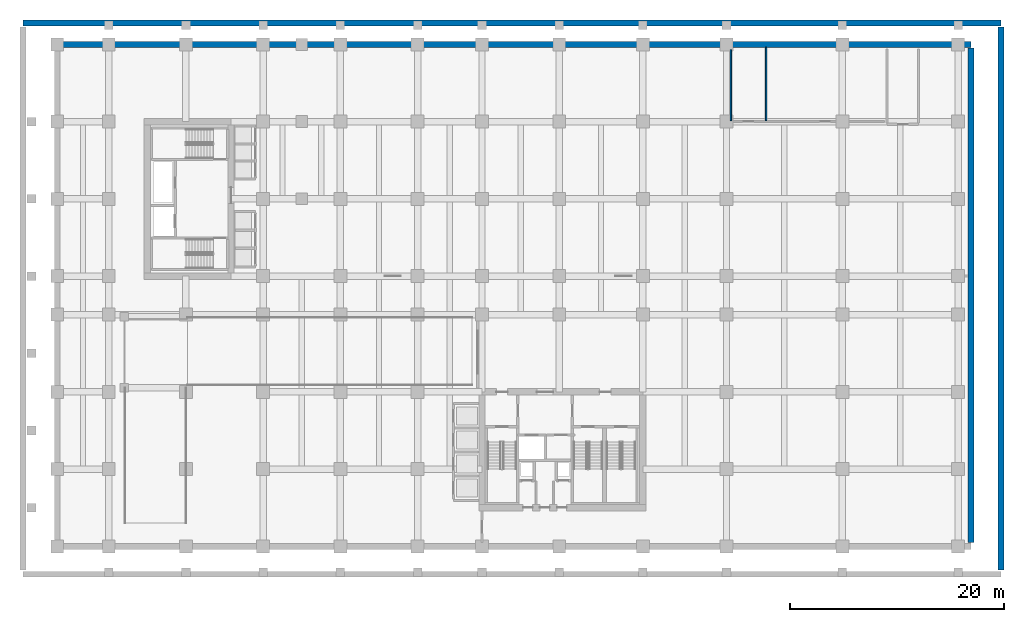
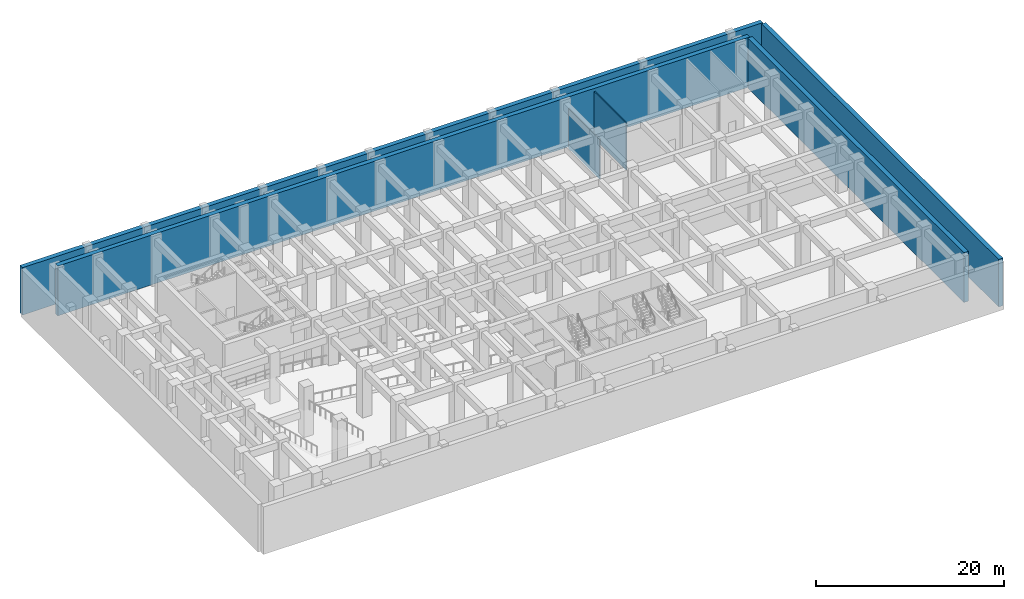
# One storey, part 7 of 13: 6 walls.
"""IFC4 building model written with IfcOpenShell, lengths in metres."""

from ifc_helpers import new_model, si_unit, derived_unit, direction, frame, frame_2d, origin, place, context, subcontext, project, spatial, rectangle, extrude, material, layer, layer_set, type_object, element, save


model = new_model("IFC4")

# Units and contexts
model_context = context("Model", 3, precision=1e-05, world=origin(), true_north=direction((0.0, 1.0)))
body_context = subcontext(model_context, "Body", "Model", "MODEL_VIEW")
ifc_project = project(units=[si_unit("LENGTHUNIT", "METRE"), si_unit("AREAUNIT", "SQUARE_METRE"), si_unit("VOLUMEUNIT", "CUBIC_METRE"), si_unit("PLANEANGLEUNIT", "RADIAN"), si_unit("MASSUNIT", "GRAM", prefix="KILO"), si_unit("THERMODYNAMICTEMPERATUREUNIT", "KELVIN"), si_unit("POWERUNIT", "WATT"), derived_unit("THERMALTRANSMITTANCEUNIT", [(si_unit("POWERUNIT", "WATT"), 1), (si_unit("AREAUNIT", "SQUARE_METRE"), -1), (si_unit("THERMODYNAMICTEMPERATUREUNIT", "KELVIN"), -1)])], contexts=[model_context])

# Site, building, storey
site_placement = place(None, origin())
site = spatial("IfcSite", under=ifc_project, at=site_placement, CompositionType="ELEMENT")
building_placement = place(site_placement, origin())
building = spatial("IfcBuilding", under=site, at=building_placement, Name="Zahravan Archway Hotel and Residences", CompositionType="ELEMENT")
storey_placement = place(building_placement, frame((0.0, 0.0, -6.5)))
storey = spatial("IfcBuildingStorey", under=building, at=storey_placement, Name="B01", CompositionType="ELEMENT", Elevation=-6.5)

# Walls
ifc_material_1 = material(Name="Concrete C50/60", Category="concrete")
ifc_layer_1 = layer(ifc_material_1, 0.550048828125, Name="Concrete C50/60", Category="concrete")
ifc_layer_set_1 = layer_set([ifc_layer_1], Name="Concrete C50/60")
wall_type_1 = type_object("IfcWallType", Name="BW-RET-550", PredefinedType="USERDEFINED", material=ifc_layer_set_1)
wall_1_placement = place(storey_placement, frame((80.39990234375, 0.35009765625, 0.0), z_axis=(0.0, 0.0, 1.0), x_axis=(0.0, 1.0, 0.0)))
element("IfcWall", 1, at=wall_1_placement, inside=storey, type_object=wall_type_1, Name="B01 Basement Retaining E Wall", ObjectType="RETAINING", PredefinedType="USERDEFINED", context=body_context, shape_type="SweptSolid", body=[
    extrude(rectangle(XDim=46.099853515625, YDim=0.550048828125, at=frame_2d((23.0498046875, 0.0))), origin(), (0.0, 0.0, 1.0), 6.5),
])
wall_2_placement = place(storey_placement, frame((80.39990234375, 46.800048828125, 0.0), z_axis=(0.0, 0.0, 1.0), x_axis=(-1.0, 0.0, 0.0)))
element("IfcWall", 2, at=wall_2_placement, inside=storey, type_object=wall_type_1, Name="B01 Basement Retaining N Wall", ObjectType="RETAINING", PredefinedType="USERDEFINED", context=body_context, shape_type="SweptSolid", body=[
    extrude(rectangle(XDim=85.199951171875, YDim=0.550048828125, at=frame_2d((42.60009765625, 0.0))), origin(), (0.0, 0.0, 1.0), 6.5),
])
wall_3_placement = place(storey_placement, frame((-8.0, 48.800048828125, 0.0), z_axis=(0.0, 0.0, 1.0), x_axis=(1.0, 0.0, 0.0)))
element("IfcWall", 3, at=wall_3_placement, inside=storey, type_object=wall_type_1, Name="B01 Forecourt Foundation Wall PN", ObjectType="RETAINING", PredefinedType="USERDEFINED", context=body_context, shape_type="SweptSolid", body=[
    extrude(rectangle(XDim=91.199951171875, YDim=0.550048828125, at=frame_2d((45.60009765625, 0.0))), origin(), (0.0, 0.0, 1.0), 6.179931640625),
])
wall_4_placement = place(storey_placement, frame((83.199951171875, -2.199951171875, 0.0), z_axis=(0.0, 0.0, 1.0), x_axis=(0.0, 1.0, 0.0)))
element("IfcWall", 4, at=wall_4_placement, inside=storey, type_object=wall_type_1, Name="B01 Forecourt Foundation Wall PE", ObjectType="RETAINING", PredefinedType="USERDEFINED", context=body_context, shape_type="SweptSolid", body=[
    extrude(rectangle(XDim=50.599853515625, YDim=0.550048828125, at=frame_2d((25.2998046875, 0.0))), origin(), (0.0, 0.0, 1.0), 6.179931640625),
])
ifc_material_2 = material(Name="Moisture-Resistant Blockwork", Category="masonry")
ifc_layer_2 = layer(ifc_material_2, 0.139892578125, Name="Moisture-Resistant Blockwork", Category="masonry")
ifc_layer_set_2 = layer_set([ifc_layer_2], Name="Moisture-Resistant Blockwork")
wall_type_2 = type_object("IfcWallType", Name="PW-WET-140", PredefinedType="PARTITIONING", material=ifc_layer_set_2)
wall_5_placement = place(storey_placement, frame((58.0, 39.68994140625, 0.0), z_axis=(0.0, 0.0, 1.0), x_axis=(0.0, 1.0, 0.0)))
element("IfcWall", 5, at=wall_5_placement, inside=storey, type_object=wall_type_2, Name="B01 Partition B1-WCL", PredefinedType="PARTITIONING", context=body_context, shape_type="SweptSolid", body=[
    extrude(rectangle(XDim=6.6201171875, YDim=0.139892578125, at=frame_2d((3.31005859375, 0.0))), origin(), (0.0, 0.0, 1.0), 5.18505859375),
])
wall_6_placement = place(storey_placement, frame((61.300048828125, 39.68994140625, 0.0), z_axis=(0.0, 0.0, 1.0), x_axis=(0.0, 1.0, 0.0)))
element("IfcWall", 6, at=wall_6_placement, inside=storey, type_object=wall_type_2, Name="B01 Partition B1-WCM", PredefinedType="PARTITIONING", context=body_context, shape_type="SweptSolid", body=[
    extrude(rectangle(XDim=6.8271484375, YDim=0.139892578125, at=frame_2d((3.41357421875, 0.0))), origin(), (0.0, 0.0, 1.0), 6.10009765625),
])

save(model, "model.ifc")
